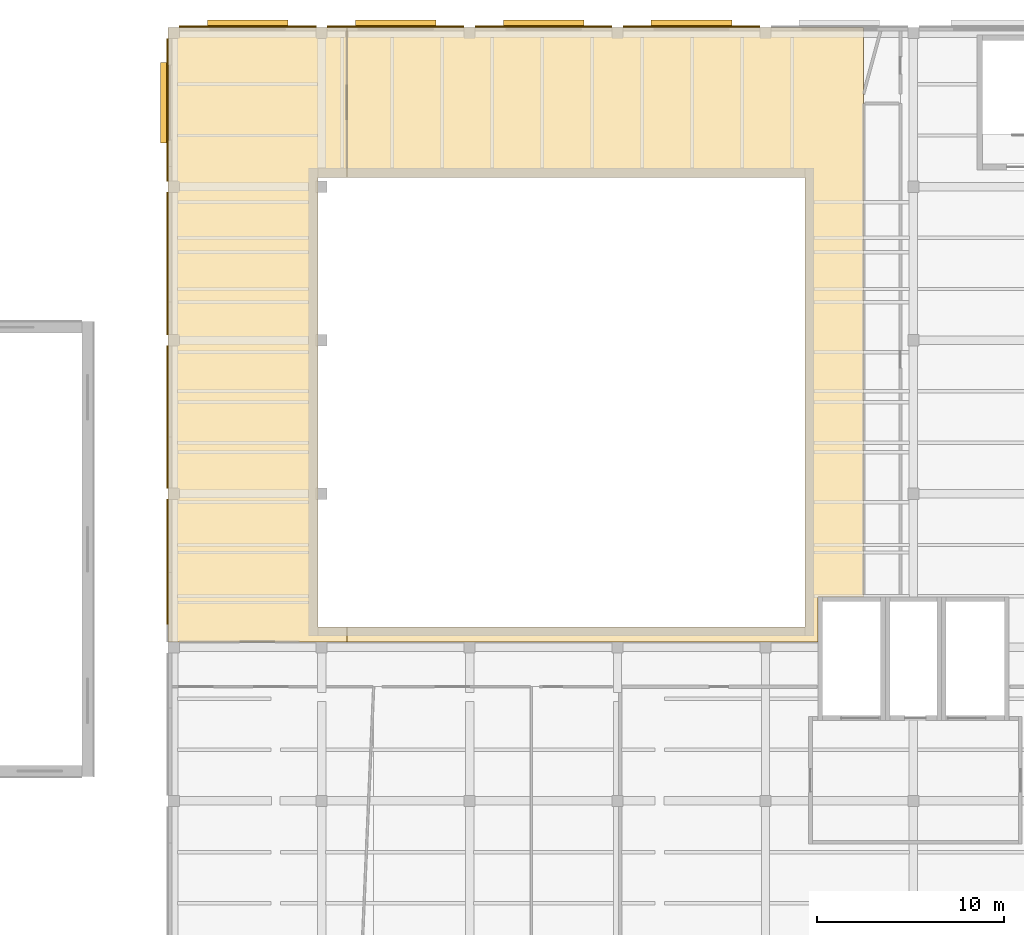
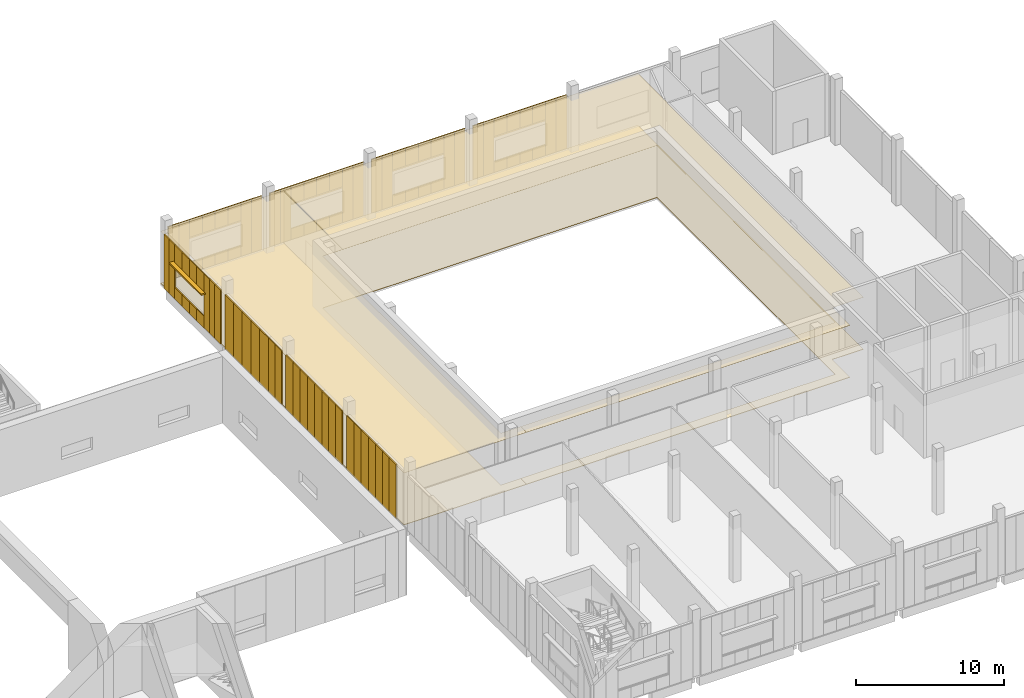
# One storey, part 85 of 87: 87 coverings, 5 shading devices.
"""IFC4 building model written with IfcOpenShell, lengths in metres."""

from ifc_helpers import new_model, si_unit, direction, frame, origin, origin_2d, place, context, subcontext, project, spatial, polyline, rectangle, outline, extrude, material, layer, layer_set, type_object, element, save


model = new_model("IFC4")

# Units and contexts
model_context = context("Model", 3, precision=1e-05, world=origin(), true_north=direction((0.0, 1.0)))
body_context = subcontext(model_context, "Body", "Model", "MODEL_VIEW")
ifc_project = project(units=[si_unit("LENGTHUNIT", "METRE"), si_unit("AREAUNIT", "SQUARE_METRE"), si_unit("VOLUMEUNIT", "CUBIC_METRE"), si_unit("PLANEANGLEUNIT", "RADIAN"), si_unit("MASSUNIT", "GRAM", prefix="KILO")], contexts=[model_context])

# Site, building, storey
site_placement = place(None, origin())
site = spatial("IfcSite", under=ifc_project, at=site_placement, CompositionType="ELEMENT")
building_placement = place(site_placement, origin())
building = spatial("IfcBuilding", under=site, at=building_placement, Name="Lunette Opera House", CompositionType="ELEMENT")
storey_placement = place(building_placement, frame((0.0, 0.0, 11.5)))
storey = spatial("IfcBuildingStorey", under=building, at=storey_placement, Name="L02", CompositionType="ELEMENT", Elevation=11.5)

# Coverings
ifc_material_1 = material(Name="Dark grey aluminium cassette", Category="aluminium")
ifc_layer_1 = layer(ifc_material_1, 0.080078125)
ifc_layer_set_1 = layer_set([ifc_layer_1], Name="Dark grey aluminium cassette")
covering_type_1 = type_object("IfcCoveringType", Name="DARK METAL CASSETTE 80", PredefinedType="CLADDING", material=ifc_layer_set_1)
for number, where, z_axis, x_axis, name in (
    (1, (167.18798828125, 136.0400390625, 0.0), (0.0, 0.0, 1.0), (-1.0, 0.0, 0.0), "Dark Metal Cassette 80 WK L02"),
    (2, (166.362060546875, 136.0400390625, 0.0), (0.0, 0.0, 1.0), (-1.0, 0.0, 0.0), "Dark Metal Cassette 80 WK L02"),
):
    element("IfcCovering", number, at=place(storey_placement, frame(where, z_axis=z_axis, x_axis=x_axis)), inside=storey, type_object=covering_type_1, Name=name, PredefinedType="CLADDING", context=body_context, shape_type="SweptSolid", body=[
        extrude(rectangle(XDim=0.824951171875, YDim=0.080078125, at=origin_2d()), origin(), (0.0, 0.0, 1.0), 4.449951171875),
    ])
covering_1_placement = place(storey_placement, frame((165.449951171875, 136.0400390625, 0.0), z_axis=(0.0, 0.0, 1.0), x_axis=(-1.0, 0.0, 0.0)))
element("IfcCovering", 3, at=covering_1_placement, inside=storey, type_object=covering_type_1, Name="Dark Metal Cassette 80 WK L02", PredefinedType="CLADDING", context=body_context, shape_type="SweptSolid", body=[
    extrude(rectangle(XDim=1.0, YDim=0.080078125, at=origin_2d()), origin(), (0.0, 0.0, 1.0), 0.949951171875),
])
covering_2_placement = place(storey_placement, frame((165.449951171875, 136.0400390625, 3.0), z_axis=(0.0, 0.0, 1.0), x_axis=(-1.0, 0.0, 0.0)))
element("IfcCovering", 4, at=covering_2_placement, inside=storey, type_object=covering_type_1, Name="Dark Metal Cassette 80 WK L02", PredefinedType="CLADDING", context=body_context, shape_type="SweptSolid", body=[
    extrude(rectangle(XDim=1.0, YDim=0.080078125, at=origin_2d()), origin(), (0.0, 0.0, 1.0), 1.449951171875),
])
covering_3_placement = place(storey_placement, frame((164.449951171875, 136.0400390625, 0.0), z_axis=(0.0, 0.0, 1.0), x_axis=(-1.0, 0.0, 0.0)))
element("IfcCovering", 5, at=covering_3_placement, inside=storey, type_object=covering_type_1, Name="Dark Metal Cassette 80 WK L02", PredefinedType="CLADDING", context=body_context, shape_type="SweptSolid", body=[
    extrude(rectangle(XDim=1.0, YDim=0.080078125, at=origin_2d()), origin(), (0.0, 0.0, 1.0), 0.949951171875),
])
covering_4_placement = place(storey_placement, frame((164.449951171875, 136.0400390625, 3.0), z_axis=(0.0, 0.0, 1.0), x_axis=(-1.0, 0.0, 0.0)))
element("IfcCovering", 6, at=covering_4_placement, inside=storey, type_object=covering_type_1, Name="Dark Metal Cassette 80 WK L02", PredefinedType="CLADDING", context=body_context, shape_type="SweptSolid", body=[
    extrude(rectangle(XDim=1.0, YDim=0.080078125, at=origin_2d()), origin(), (0.0, 0.0, 1.0), 1.449951171875),
])
covering_5_placement = place(storey_placement, frame((163.449951171875, 136.0400390625, 0.0), z_axis=(0.0, 0.0, 1.0), x_axis=(-1.0, 0.0, 0.0)))
element("IfcCovering", 7, at=covering_5_placement, inside=storey, type_object=covering_type_1, Name="Dark Metal Cassette 80 WK L02", PredefinedType="CLADDING", context=body_context, shape_type="SweptSolid", body=[
    extrude(rectangle(XDim=1.0, YDim=0.080078125, at=origin_2d()), origin(), (0.0, 0.0, 1.0), 0.949951171875),
])
covering_6_placement = place(storey_placement, frame((163.449951171875, 136.0400390625, 3.0), z_axis=(0.0, 0.0, 1.0), x_axis=(-1.0, 0.0, 0.0)))
element("IfcCovering", 8, at=covering_6_placement, inside=storey, type_object=covering_type_1, Name="Dark Metal Cassette 80 WK L02", PredefinedType="CLADDING", context=body_context, shape_type="SweptSolid", body=[
    extrude(rectangle(XDim=1.0, YDim=0.080078125, at=origin_2d()), origin(), (0.0, 0.0, 1.0), 1.449951171875),
])
covering_7_placement = place(storey_placement, frame((162.449951171875, 136.0400390625, 0.0), z_axis=(0.0, 0.0, 1.0), x_axis=(-1.0, 0.0, 0.0)))
element("IfcCovering", 9, at=covering_7_placement, inside=storey, type_object=covering_type_1, Name="Dark Metal Cassette 80 WK L02", PredefinedType="CLADDING", context=body_context, shape_type="SweptSolid", body=[
    extrude(rectangle(XDim=1.0, YDim=0.080078125, at=origin_2d()), origin(), (0.0, 0.0, 1.0), 0.949951171875),
])
covering_8_placement = place(storey_placement, frame((162.449951171875, 136.0400390625, 3.0), z_axis=(0.0, 0.0, 1.0), x_axis=(-1.0, 0.0, 0.0)))
element("IfcCovering", 10, at=covering_8_placement, inside=storey, type_object=covering_type_1, Name="Dark Metal Cassette 80 WK L02", PredefinedType="CLADDING", context=body_context, shape_type="SweptSolid", body=[
    extrude(rectangle(XDim=1.0, YDim=0.080078125, at=origin_2d()), origin(), (0.0, 0.0, 1.0), 1.449951171875),
])
for number, where, z_axis, x_axis, name in (
    (11, (161.537109375, 136.0400390625, 0.0), (0.0, 0.0, 1.0), (-1.0, 0.0, 0.0), "Dark Metal Cassette 80 WK L02"),
    (12, (160.712890625, 136.0400390625, 0.0), (0.0, 0.0, 1.0), (-1.0, 0.0, 0.0), "Dark Metal Cassette 80 WK L02"),
    (13, (159.287109375, 136.0400390625, 0.0), (0.0, 0.0, 1.0), (-1.0, 0.0, 0.0), "Dark Metal Cassette 80 WK L02"),
    (14, (158.4619140625, 136.0400390625, 0.0), (0.0, 0.0, 1.0), (-1.0, 0.0, 0.0), "Dark Metal Cassette 80 WK L02"),
):
    element("IfcCovering", number, at=place(storey_placement, frame(where, z_axis=z_axis, x_axis=x_axis)), inside=storey, type_object=covering_type_1, Name=name, PredefinedType="CLADDING", context=body_context, shape_type="SweptSolid", body=[
        extrude(rectangle(XDim=0.824951171875, YDim=0.080078125, at=origin_2d()), origin(), (0.0, 0.0, 1.0), 4.449951171875),
    ])
covering_9_placement = place(storey_placement, frame((157.550048828125, 136.0400390625, 0.0), z_axis=(0.0, 0.0, 1.0), x_axis=(-1.0, 0.0, 0.0)))
element("IfcCovering", 15, at=covering_9_placement, inside=storey, type_object=covering_type_1, Name="Dark Metal Cassette 80 WK L02", PredefinedType="CLADDING", context=body_context, shape_type="SweptSolid", body=[
    extrude(rectangle(XDim=1.0, YDim=0.080078125, at=origin_2d()), origin(), (0.0, 0.0, 1.0), 0.949951171875),
])
covering_10_placement = place(storey_placement, frame((157.550048828125, 136.0400390625, 3.0), z_axis=(0.0, 0.0, 1.0), x_axis=(-1.0, 0.0, 0.0)))
element("IfcCovering", 16, at=covering_10_placement, inside=storey, type_object=covering_type_1, Name="Dark Metal Cassette 80 WK L02", PredefinedType="CLADDING", context=body_context, shape_type="SweptSolid", body=[
    extrude(rectangle(XDim=1.0, YDim=0.080078125, at=origin_2d()), origin(), (0.0, 0.0, 1.0), 1.449951171875),
])
covering_11_placement = place(storey_placement, frame((156.550048828125, 136.0400390625, 0.0), z_axis=(0.0, 0.0, 1.0), x_axis=(-1.0, 0.0, 0.0)))
element("IfcCovering", 17, at=covering_11_placement, inside=storey, type_object=covering_type_1, Name="Dark Metal Cassette 80 WK L02", PredefinedType="CLADDING", context=body_context, shape_type="SweptSolid", body=[
    extrude(rectangle(XDim=1.0, YDim=0.080078125, at=origin_2d()), origin(), (0.0, 0.0, 1.0), 0.949951171875),
])
covering_12_placement = place(storey_placement, frame((156.550048828125, 136.0400390625, 3.0), z_axis=(0.0, 0.0, 1.0), x_axis=(-1.0, 0.0, 0.0)))
element("IfcCovering", 18, at=covering_12_placement, inside=storey, type_object=covering_type_1, Name="Dark Metal Cassette 80 WK L02", PredefinedType="CLADDING", context=body_context, shape_type="SweptSolid", body=[
    extrude(rectangle(XDim=1.0, YDim=0.080078125, at=origin_2d()), origin(), (0.0, 0.0, 1.0), 1.449951171875),
])
covering_13_placement = place(storey_placement, frame((155.550048828125, 136.0400390625, 0.0), z_axis=(0.0, 0.0, 1.0), x_axis=(-1.0, 0.0, 0.0)))
element("IfcCovering", 19, at=covering_13_placement, inside=storey, type_object=covering_type_1, Name="Dark Metal Cassette 80 WK L02", PredefinedType="CLADDING", context=body_context, shape_type="SweptSolid", body=[
    extrude(rectangle(XDim=1.0, YDim=0.080078125, at=origin_2d()), origin(), (0.0, 0.0, 1.0), 0.949951171875),
])
covering_14_placement = place(storey_placement, frame((155.550048828125, 136.0400390625, 3.0), z_axis=(0.0, 0.0, 1.0), x_axis=(-1.0, 0.0, 0.0)))
element("IfcCovering", 20, at=covering_14_placement, inside=storey, type_object=covering_type_1, Name="Dark Metal Cassette 80 WK L02", PredefinedType="CLADDING", context=body_context, shape_type="SweptSolid", body=[
    extrude(rectangle(XDim=1.0, YDim=0.080078125, at=origin_2d()), origin(), (0.0, 0.0, 1.0), 1.449951171875),
])
covering_15_placement = place(storey_placement, frame((154.550048828125, 136.0400390625, 0.0), z_axis=(0.0, 0.0, 1.0), x_axis=(-1.0, 0.0, 0.0)))
element("IfcCovering", 21, at=covering_15_placement, inside=storey, type_object=covering_type_1, Name="Dark Metal Cassette 80 WK L02", PredefinedType="CLADDING", context=body_context, shape_type="SweptSolid", body=[
    extrude(rectangle(XDim=1.0, YDim=0.080078125, at=origin_2d()), origin(), (0.0, 0.0, 1.0), 0.949951171875),
])
covering_16_placement = place(storey_placement, frame((154.550048828125, 136.0400390625, 3.0), z_axis=(0.0, 0.0, 1.0), x_axis=(-1.0, 0.0, 0.0)))
element("IfcCovering", 22, at=covering_16_placement, inside=storey, type_object=covering_type_1, Name="Dark Metal Cassette 80 WK L02", PredefinedType="CLADDING", context=body_context, shape_type="SweptSolid", body=[
    extrude(rectangle(XDim=1.0, YDim=0.080078125, at=origin_2d()), origin(), (0.0, 0.0, 1.0), 1.449951171875),
])
for number, where, z_axis, x_axis, name in (
    (23, (153.636962890625, 136.0400390625, 0.0), (0.0, 0.0, 1.0), (-1.0, 0.0, 0.0), "Dark Metal Cassette 80 WK L02"),
    (24, (152.81201171875, 136.0400390625, 0.0), (0.0, 0.0, 1.0), (-1.0, 0.0, 0.0), "Dark Metal Cassette 80 WK L02"),
    (25, (151.387939453125, 136.0400390625, 0.0), (0.0, 0.0, 1.0), (-1.0, 0.0, 0.0), "Dark Metal Cassette 80 WK L02"),
    (26, (150.56201171875, 136.0400390625, 0.0), (0.0, 0.0, 1.0), (-1.0, 0.0, 0.0), "Dark Metal Cassette 80 WK L02"),
):
    element("IfcCovering", number, at=place(storey_placement, frame(where, z_axis=z_axis, x_axis=x_axis)), inside=storey, type_object=covering_type_1, Name=name, PredefinedType="CLADDING", context=body_context, shape_type="SweptSolid", body=[
        extrude(rectangle(XDim=0.824951171875, YDim=0.080078125, at=origin_2d()), origin(), (0.0, 0.0, 1.0), 4.449951171875),
    ])
covering_17_placement = place(storey_placement, frame((149.64990234375, 136.0400390625, 0.0), z_axis=(0.0, 0.0, 1.0), x_axis=(-1.0, 0.0, 0.0)))
element("IfcCovering", 27, at=covering_17_placement, inside=storey, type_object=covering_type_1, Name="Dark Metal Cassette 80 WK L02", PredefinedType="CLADDING", context=body_context, shape_type="SweptSolid", body=[
    extrude(rectangle(XDim=1.0, YDim=0.080078125, at=origin_2d()), origin(), (0.0, 0.0, 1.0), 0.949951171875),
])
covering_18_placement = place(storey_placement, frame((149.64990234375, 136.0400390625, 3.0), z_axis=(0.0, 0.0, 1.0), x_axis=(-1.0, 0.0, 0.0)))
element("IfcCovering", 28, at=covering_18_placement, inside=storey, type_object=covering_type_1, Name="Dark Metal Cassette 80 WK L02", PredefinedType="CLADDING", context=body_context, shape_type="SweptSolid", body=[
    extrude(rectangle(XDim=1.0, YDim=0.080078125, at=origin_2d()), origin(), (0.0, 0.0, 1.0), 1.449951171875),
])
covering_19_placement = place(storey_placement, frame((148.64990234375, 136.0400390625, 0.0), z_axis=(0.0, 0.0, 1.0), x_axis=(-1.0, 0.0, 0.0)))
element("IfcCovering", 29, at=covering_19_placement, inside=storey, type_object=covering_type_1, Name="Dark Metal Cassette 80 WK L02", PredefinedType="CLADDING", context=body_context, shape_type="SweptSolid", body=[
    extrude(rectangle(XDim=1.0, YDim=0.080078125, at=origin_2d()), origin(), (0.0, 0.0, 1.0), 0.949951171875),
])
covering_20_placement = place(storey_placement, frame((148.64990234375, 136.0400390625, 3.0), z_axis=(0.0, 0.0, 1.0), x_axis=(-1.0, 0.0, 0.0)))
element("IfcCovering", 30, at=covering_20_placement, inside=storey, type_object=covering_type_1, Name="Dark Metal Cassette 80 WK L02", PredefinedType="CLADDING", context=body_context, shape_type="SweptSolid", body=[
    extrude(rectangle(XDim=1.0, YDim=0.080078125, at=origin_2d()), origin(), (0.0, 0.0, 1.0), 1.449951171875),
])
covering_21_placement = place(storey_placement, frame((147.64990234375, 136.0400390625, 0.0), z_axis=(0.0, 0.0, 1.0), x_axis=(-1.0, 0.0, 0.0)))
element("IfcCovering", 31, at=covering_21_placement, inside=storey, type_object=covering_type_1, Name="Dark Metal Cassette 80 WK L02", PredefinedType="CLADDING", context=body_context, shape_type="SweptSolid", body=[
    extrude(rectangle(XDim=1.0, YDim=0.080078125, at=origin_2d()), origin(), (0.0, 0.0, 1.0), 0.949951171875),
])
covering_22_placement = place(storey_placement, frame((147.64990234375, 136.0400390625, 3.0), z_axis=(0.0, 0.0, 1.0), x_axis=(-1.0, 0.0, 0.0)))
element("IfcCovering", 32, at=covering_22_placement, inside=storey, type_object=covering_type_1, Name="Dark Metal Cassette 80 WK L02", PredefinedType="CLADDING", context=body_context, shape_type="SweptSolid", body=[
    extrude(rectangle(XDim=1.0, YDim=0.080078125, at=origin_2d()), origin(), (0.0, 0.0, 1.0), 1.449951171875),
])
covering_23_placement = place(storey_placement, frame((146.64990234375, 136.0400390625, 0.0), z_axis=(0.0, 0.0, 1.0), x_axis=(-1.0, 0.0, 0.0)))
element("IfcCovering", 33, at=covering_23_placement, inside=storey, type_object=covering_type_1, Name="Dark Metal Cassette 80 WK L02", PredefinedType="CLADDING", context=body_context, shape_type="SweptSolid", body=[
    extrude(rectangle(XDim=1.0, YDim=0.080078125, at=origin_2d()), origin(), (0.0, 0.0, 1.0), 0.949951171875),
])
covering_24_placement = place(storey_placement, frame((146.64990234375, 136.0400390625, 3.0), z_axis=(0.0, 0.0, 1.0), x_axis=(-1.0, 0.0, 0.0)))
element("IfcCovering", 34, at=covering_24_placement, inside=storey, type_object=covering_type_1, Name="Dark Metal Cassette 80 WK L02", PredefinedType="CLADDING", context=body_context, shape_type="SweptSolid", body=[
    extrude(rectangle(XDim=1.0, YDim=0.080078125, at=origin_2d()), origin(), (0.0, 0.0, 1.0), 1.449951171875),
])
for number, where, z_axis, x_axis, name in (
    (35, (145.738037109375, 136.0400390625, 0.0), (0.0, 0.0, 1.0), (-1.0, 0.0, 0.0), "Dark Metal Cassette 80 WK L02"),
    (36, (144.912109375, 136.0400390625, 0.0), (0.0, 0.0, 1.0), (-1.0, 0.0, 0.0), "Dark Metal Cassette 80 WK L02"),
    (37, (143.488037109375, 136.0400390625, 0.0), (0.0, 0.0, 1.0), (-1.0, 0.0, 0.0), "Dark Metal Cassette 80 WK L02"),
    (38, (142.662109375, 136.0400390625, 0.0), (0.0, 0.0, 1.0), (-1.0, 0.0, 0.0), "Dark Metal Cassette 80 WK L02"),
):
    element("IfcCovering", number, at=place(storey_placement, frame(where, z_axis=z_axis, x_axis=x_axis)), inside=storey, type_object=covering_type_1, Name=name, PredefinedType="CLADDING", context=body_context, shape_type="SweptSolid", body=[
        extrude(rectangle(XDim=0.824951171875, YDim=0.080078125, at=origin_2d()), origin(), (0.0, 0.0, 1.0), 4.449951171875),
    ])
covering_25_placement = place(storey_placement, frame((141.75, 136.0400390625, 0.0), z_axis=(0.0, 0.0, 1.0), x_axis=(-1.0, 0.0, 0.0)))
element("IfcCovering", 39, at=covering_25_placement, inside=storey, type_object=covering_type_1, Name="Dark Metal Cassette 80 WK L02", PredefinedType="CLADDING", context=body_context, shape_type="SweptSolid", body=[
    extrude(rectangle(XDim=1.0, YDim=0.080078125, at=origin_2d()), origin(), (0.0, 0.0, 1.0), 0.949951171875),
])
covering_26_placement = place(storey_placement, frame((141.75, 136.0400390625, 3.0), z_axis=(0.0, 0.0, 1.0), x_axis=(-1.0, 0.0, 0.0)))
element("IfcCovering", 40, at=covering_26_placement, inside=storey, type_object=covering_type_1, Name="Dark Metal Cassette 80 WK L02", PredefinedType="CLADDING", context=body_context, shape_type="SweptSolid", body=[
    extrude(rectangle(XDim=1.0, YDim=0.080078125, at=origin_2d()), origin(), (0.0, 0.0, 1.0), 1.449951171875),
])
covering_27_placement = place(storey_placement, frame((140.75, 136.0400390625, 0.0), z_axis=(0.0, 0.0, 1.0), x_axis=(-1.0, 0.0, 0.0)))
element("IfcCovering", 41, at=covering_27_placement, inside=storey, type_object=covering_type_1, Name="Dark Metal Cassette 80 WK L02", PredefinedType="CLADDING", context=body_context, shape_type="SweptSolid", body=[
    extrude(rectangle(XDim=1.0, YDim=0.080078125, at=origin_2d()), origin(), (0.0, 0.0, 1.0), 0.949951171875),
])
covering_28_placement = place(storey_placement, frame((140.75, 136.0400390625, 3.0), z_axis=(0.0, 0.0, 1.0), x_axis=(-1.0, 0.0, 0.0)))
element("IfcCovering", 42, at=covering_28_placement, inside=storey, type_object=covering_type_1, Name="Dark Metal Cassette 80 WK L02", PredefinedType="CLADDING", context=body_context, shape_type="SweptSolid", body=[
    extrude(rectangle(XDim=1.0, YDim=0.080078125, at=origin_2d()), origin(), (0.0, 0.0, 1.0), 1.449951171875),
])
covering_29_placement = place(storey_placement, frame((139.75, 136.0400390625, 0.0), z_axis=(0.0, 0.0, 1.0), x_axis=(-1.0, 0.0, 0.0)))
element("IfcCovering", 43, at=covering_29_placement, inside=storey, type_object=covering_type_1, Name="Dark Metal Cassette 80 WK L02", PredefinedType="CLADDING", context=body_context, shape_type="SweptSolid", body=[
    extrude(rectangle(XDim=1.0, YDim=0.080078125, at=origin_2d()), origin(), (0.0, 0.0, 1.0), 0.949951171875),
])
covering_30_placement = place(storey_placement, frame((139.75, 136.0400390625, 3.0), z_axis=(0.0, 0.0, 1.0), x_axis=(-1.0, 0.0, 0.0)))
element("IfcCovering", 44, at=covering_30_placement, inside=storey, type_object=covering_type_1, Name="Dark Metal Cassette 80 WK L02", PredefinedType="CLADDING", context=body_context, shape_type="SweptSolid", body=[
    extrude(rectangle(XDim=1.0, YDim=0.080078125, at=origin_2d()), origin(), (0.0, 0.0, 1.0), 1.449951171875),
])
covering_31_placement = place(storey_placement, frame((138.75, 136.0400390625, 0.0), z_axis=(0.0, 0.0, 1.0), x_axis=(-1.0, 0.0, 0.0)))
element("IfcCovering", 45, at=covering_31_placement, inside=storey, type_object=covering_type_1, Name="Dark Metal Cassette 80 WK L02", PredefinedType="CLADDING", context=body_context, shape_type="SweptSolid", body=[
    extrude(rectangle(XDim=1.0, YDim=0.080078125, at=origin_2d()), origin(), (0.0, 0.0, 1.0), 0.949951171875),
])
covering_32_placement = place(storey_placement, frame((138.75, 136.0400390625, 3.0), z_axis=(0.0, 0.0, 1.0), x_axis=(-1.0, 0.0, 0.0)))
element("IfcCovering", 46, at=covering_32_placement, inside=storey, type_object=covering_type_1, Name="Dark Metal Cassette 80 WK L02", PredefinedType="CLADDING", context=body_context, shape_type="SweptSolid", body=[
    extrude(rectangle(XDim=1.0, YDim=0.080078125, at=origin_2d()), origin(), (0.0, 0.0, 1.0), 1.449951171875),
])
for number, where, z_axis, x_axis, name in (
    (47, (137.837890625, 136.0400390625, 0.0), (0.0, 0.0, 1.0), (-1.0, 0.0, 0.0), "Dark Metal Cassette 80 WK L02"),
    (48, (137.011962890625, 136.0400390625, 0.0), (0.0, 0.0, 1.0), (-1.0, 0.0, 0.0), "Dark Metal Cassette 80 WK L02"),
):
    element("IfcCovering", number, at=place(storey_placement, frame(where, z_axis=z_axis, x_axis=x_axis)), inside=storey, type_object=covering_type_1, Name=name, PredefinedType="CLADDING", context=body_context, shape_type="SweptSolid", body=[
        extrude(rectangle(XDim=0.824951171875, YDim=0.080078125, at=origin_2d()), origin(), (0.0, 0.0, 1.0), 4.449951171875),
    ])
for number, where, z_axis, x_axis, name in (
    (49, (135.9599609375, 135.047119140625, 0.0), (0.0, 0.0, 1.0), (0.0, -1.0, 0.0), "Dark Metal Cassette 80 WK L02"),
    (50, (135.9599609375, 134.341064453125, 0.0), (0.0, 0.0, 1.0), (0.0, -1.0, 0.0), "Dark Metal Cassette 80 WK L02"),
):
    element("IfcCovering", number, at=place(storey_placement, frame(where, z_axis=z_axis, x_axis=x_axis)), inside=storey, type_object=covering_type_1, Name=name, PredefinedType="CLADDING", context=body_context, shape_type="SweptSolid", body=[
        extrude(rectangle(XDim=0.7060546875, YDim=0.080078125, at=origin_2d()), origin(), (0.0, 0.0, 1.0), 4.449951171875),
    ])
covering_33_placement = place(storey_placement, frame((135.9599609375, 133.488037109375, 0.0), z_axis=(0.0, 0.0, 1.0), x_axis=(0.0, -1.0, 0.0)))
element("IfcCovering", 51, at=covering_33_placement, inside=storey, type_object=covering_type_1, Name="Dark Metal Cassette 80 WK L02", PredefinedType="CLADDING", context=body_context, shape_type="SweptSolid", body=[
    extrude(rectangle(XDim=1.0, YDim=0.080078125, at=origin_2d()), origin(), (0.0, 0.0, 1.0), 0.949951171875),
])
covering_34_placement = place(storey_placement, frame((135.9599609375, 133.488037109375, 3.0), z_axis=(0.0, 0.0, 1.0), x_axis=(0.0, -1.0, 0.0)))
element("IfcCovering", 52, at=covering_34_placement, inside=storey, type_object=covering_type_1, Name="Dark Metal Cassette 80 WK L02", PredefinedType="CLADDING", context=body_context, shape_type="SweptSolid", body=[
    extrude(rectangle(XDim=1.0, YDim=0.080078125, at=origin_2d()), origin(), (0.0, 0.0, 1.0), 1.449951171875),
])
covering_35_placement = place(storey_placement, frame((135.9599609375, 132.488037109375, 0.0), z_axis=(0.0, 0.0, 1.0), x_axis=(0.0, -1.0, 0.0)))
element("IfcCovering", 53, at=covering_35_placement, inside=storey, type_object=covering_type_1, Name="Dark Metal Cassette 80 WK L02", PredefinedType="CLADDING", context=body_context, shape_type="SweptSolid", body=[
    extrude(rectangle(XDim=1.0, YDim=0.080078125, at=origin_2d()), origin(), (0.0, 0.0, 1.0), 0.949951171875),
])
covering_36_placement = place(storey_placement, frame((135.9599609375, 132.488037109375, 3.0), z_axis=(0.0, 0.0, 1.0), x_axis=(0.0, -1.0, 0.0)))
element("IfcCovering", 54, at=covering_36_placement, inside=storey, type_object=covering_type_1, Name="Dark Metal Cassette 80 WK L02", PredefinedType="CLADDING", context=body_context, shape_type="SweptSolid", body=[
    extrude(rectangle(XDim=1.0, YDim=0.080078125, at=origin_2d()), origin(), (0.0, 0.0, 1.0), 1.449951171875),
])
covering_37_placement = place(storey_placement, frame((135.9599609375, 131.488037109375, 0.0), z_axis=(0.0, 0.0, 1.0), x_axis=(0.0, -1.0, 0.0)))
element("IfcCovering", 55, at=covering_37_placement, inside=storey, type_object=covering_type_1, Name="Dark Metal Cassette 80 WK L02", PredefinedType="CLADDING", context=body_context, shape_type="SweptSolid", body=[
    extrude(rectangle(XDim=1.0, YDim=0.080078125, at=origin_2d()), origin(), (0.0, 0.0, 1.0), 0.949951171875),
])
covering_38_placement = place(storey_placement, frame((135.9599609375, 131.488037109375, 3.0), z_axis=(0.0, 0.0, 1.0), x_axis=(0.0, -1.0, 0.0)))
element("IfcCovering", 56, at=covering_38_placement, inside=storey, type_object=covering_type_1, Name="Dark Metal Cassette 80 WK L02", PredefinedType="CLADDING", context=body_context, shape_type="SweptSolid", body=[
    extrude(rectangle(XDim=1.0, YDim=0.080078125, at=origin_2d()), origin(), (0.0, 0.0, 1.0), 1.449951171875),
])
covering_39_placement = place(storey_placement, frame((135.9599609375, 130.488037109375, 0.0), z_axis=(0.0, 0.0, 1.0), x_axis=(0.0, -1.0, 0.0)))
element("IfcCovering", 57, at=covering_39_placement, inside=storey, type_object=covering_type_1, Name="Dark Metal Cassette 80 WK L02", PredefinedType="CLADDING", context=body_context, shape_type="SweptSolid", body=[
    extrude(rectangle(XDim=1.0, YDim=0.080078125, at=origin_2d()), origin(), (0.0, 0.0, 1.0), 0.949951171875),
])
covering_40_placement = place(storey_placement, frame((135.9599609375, 130.488037109375, 3.0), z_axis=(0.0, 0.0, 1.0), x_axis=(0.0, -1.0, 0.0)))
element("IfcCovering", 58, at=covering_40_placement, inside=storey, type_object=covering_type_1, Name="Dark Metal Cassette 80 WK L02", PredefinedType="CLADDING", context=body_context, shape_type="SweptSolid", body=[
    extrude(rectangle(XDim=1.0, YDim=0.080078125, at=origin_2d()), origin(), (0.0, 0.0, 1.0), 1.449951171875),
])
for number, where, z_axis, x_axis, name in (
    (59, (135.9599609375, 129.635009765625, 0.0), (0.0, 0.0, 1.0), (0.0, -1.0, 0.0), "Dark Metal Cassette 80 WK L02"),
    (60, (135.9599609375, 128.927978515625, 0.0), (0.0, 0.0, 1.0), (0.0, -1.0, 0.0), "Dark Metal Cassette 80 WK L02"),
):
    element("IfcCovering", number, at=place(storey_placement, frame(where, z_axis=z_axis, x_axis=x_axis)), inside=storey, type_object=covering_type_1, Name=name, PredefinedType="CLADDING", context=body_context, shape_type="SweptSolid", body=[
        extrude(rectangle(XDim=0.70703125, YDim=0.080078125, at=origin_2d()), origin(), (0.0, 0.0, 1.0), 4.449951171875),
    ])
covering_41_placement = place(storey_placement, frame((135.9599609375, 128.18798828125, 0.0), z_axis=(0.0, 0.0, 1.0), x_axis=(0.0, -1.0, 0.0)))
element("IfcCovering", 61, at=covering_41_placement, inside=storey, type_object=covering_type_1, Name="Dark Metal Cassette 80 WK L02", PredefinedType="CLADDING", context=body_context, shape_type="SweptSolid", body=[
    extrude(rectangle(XDim=0.77490234375, YDim=0.080078125, at=origin_2d()), origin(), (0.0, 0.0, 1.0), 4.449951171875),
])
for number, where, z_axis, x_axis, name in (
    (62, (135.9599609375, 126.614990234375, 0.0), (0.0, 0.0, 1.0), (0.0, -1.0, 0.0), "Dark Metal Cassette 80 WK L02"),
    (63, (135.9599609375, 125.445068359375, 0.0), (0.0, 0.0, 1.0), (0.0, -1.0, 0.0), "Dark Metal Cassette 80 WK L02"),
    (64, (135.9599609375, 124.27490234375, 0.0), (0.0, 0.0, 1.0), (0.0, -1.0, 0.0), "Dark Metal Cassette 80 WK L02"),
    (65, (135.9599609375, 123.10498046875, 0.0), (0.0, 0.0, 1.0), (0.0, -1.0, 0.0), "Dark Metal Cassette 80 WK L02"),
    (66, (135.9599609375, 121.93505859375, 0.0), (0.0, 0.0, 1.0), (0.0, -1.0, 0.0), "Dark Metal Cassette 80 WK L02"),
):
    element("IfcCovering", number, at=place(storey_placement, frame(where, z_axis=z_axis, x_axis=x_axis)), inside=storey, type_object=covering_type_1, Name=name, PredefinedType="CLADDING", context=body_context, shape_type="SweptSolid", body=[
        extrude(rectangle(XDim=1.169921875, YDim=0.080078125, at=origin_2d()), origin(), (0.0, 0.0, 1.0), 4.449951171875),
    ])
for number, where, z_axis, x_axis, name in (
    (67, (135.9599609375, 120.912109375, 0.0), (0.0, 0.0, 1.0), (0.0, -1.0, 0.0), "Dark Metal Cassette 80 WK L02"),
    (68, (135.9599609375, 120.037109375, 0.0), (0.0, 0.0, 1.0), (0.0, -1.0, 0.0), "Dark Metal Cassette 80 WK L02"),
):
    element("IfcCovering", number, at=place(storey_placement, frame(where, z_axis=z_axis, x_axis=x_axis)), inside=storey, type_object=covering_type_1, Name=name, PredefinedType="CLADDING", context=body_context, shape_type="SweptSolid", body=[
        extrude(rectangle(XDim=0.875, YDim=0.080078125, at=origin_2d()), origin(), (0.0, 0.0, 1.0), 4.449951171875),
    ])
for number, where, z_axis, x_axis, name in (
    (69, (135.9599609375, 118.512939453125, 0.0), (0.0, 0.0, 1.0), (0.0, -1.0, 0.0), "Dark Metal Cassette 80 WK L02"),
    (70, (135.9599609375, 117.537109375, 0.0), (0.0, 0.0, 1.0), (0.0, -1.0, 0.0), "Dark Metal Cassette 80 WK L02"),
    (71, (135.9599609375, 116.56201171875, 0.0), (0.0, 0.0, 1.0), (0.0, -1.0, 0.0), "Dark Metal Cassette 80 WK L02"),
    (72, (135.9599609375, 115.587890625, 0.0), (0.0, 0.0, 1.0), (0.0, -1.0, 0.0), "Dark Metal Cassette 80 WK L02"),
    (73, (135.9599609375, 114.612060546875, 0.0), (0.0, 0.0, 1.0), (0.0, -1.0, 0.0), "Dark Metal Cassette 80 WK L02"),
):
    element("IfcCovering", number, at=place(storey_placement, frame(where, z_axis=z_axis, x_axis=x_axis)), inside=storey, type_object=covering_type_1, Name=name, PredefinedType="CLADDING", context=body_context, shape_type="SweptSolid", body=[
        extrude(rectangle(XDim=0.97509765625, YDim=0.080078125, at=origin_2d()), origin(), (0.0, 0.0, 1.0), 4.449951171875),
    ])
for number, where, z_axis, x_axis, name in (
    (74, (135.9599609375, 113.6708984375, 0.0), (0.0, 0.0, 1.0), (0.0, -1.0, 0.0), "Dark Metal Cassette 80 WK L02"),
    (75, (135.9599609375, 112.762939453125, 0.0), (0.0, 0.0, 1.0), (0.0, -1.0, 0.0), "Dark Metal Cassette 80 WK L02"),
    (76, (135.9599609375, 111.85400390625, 0.0), (0.0, 0.0, 1.0), (0.0, -1.0, 0.0), "Dark Metal Cassette 80 WK L02"),
):
    element("IfcCovering", number, at=place(storey_placement, frame(where, z_axis=z_axis, x_axis=x_axis)), inside=storey, type_object=covering_type_1, Name=name, PredefinedType="CLADDING", context=body_context, shape_type="SweptSolid", body=[
        extrude(rectangle(XDim=0.907958984375, YDim=0.080078125, at=origin_2d()), origin(), (0.0, 0.0, 1.0), 4.449951171875),
    ])
for number, where, z_axis, x_axis, name in (
    (77, (135.9599609375, 110.31201171875, 0.0), (0.0, 0.0, 1.0), (0.0, -1.0, 0.0), "Dark Metal Cassette 80 WK L02"),
    (78, (135.9599609375, 109.337890625, 0.0), (0.0, 0.0, 1.0), (0.0, -1.0, 0.0), "Dark Metal Cassette 80 WK L02"),
    (79, (135.9599609375, 108.362060546875, 0.0), (0.0, 0.0, 1.0), (0.0, -1.0, 0.0), "Dark Metal Cassette 80 WK L02"),
    (80, (135.9599609375, 107.387939453125, 0.0), (0.0, 0.0, 1.0), (0.0, -1.0, 0.0), "Dark Metal Cassette 80 WK L02"),
):
    element("IfcCovering", number, at=place(storey_placement, frame(where, z_axis=z_axis, x_axis=x_axis)), inside=storey, type_object=covering_type_1, Name=name, PredefinedType="CLADDING", context=body_context, shape_type="SweptSolid", body=[
        extrude(rectangle(XDim=0.97509765625, YDim=0.080078125, at=origin_2d()), origin(), (0.0, 0.0, 1.0), 4.449951171875),
    ])
for number, where, z_axis, x_axis, name in (
    (81, (135.9599609375, 106.43798828125, 0.0), (0.0, 0.0, 1.0), (0.0, -1.0, 0.0), "Dark Metal Cassette 80 WK L02"),
    (82, (135.9599609375, 105.512939453125, 0.0), (0.0, 0.0, 1.0), (0.0, -1.0, 0.0), "Dark Metal Cassette 80 WK L02"),
    (83, (135.9599609375, 104.587890625, 0.0), (0.0, 0.0, 1.0), (0.0, -1.0, 0.0), "Dark Metal Cassette 80 WK L02"),
):
    element("IfcCovering", number, at=place(storey_placement, frame(where, z_axis=z_axis, x_axis=x_axis)), inside=storey, type_object=covering_type_1, Name=name, PredefinedType="CLADDING", context=body_context, shape_type="SweptSolid", body=[
        extrude(rectangle(XDim=0.925048828125, YDim=0.080078125, at=origin_2d()), origin(), (0.0, 0.0, 1.0), 4.449951171875),
    ])
ifc_material_2 = material(Name="Mineral fibre board")
ifc_layer_2 = layer(ifc_material_2, 0.014892578125)
ifc_layer_set_2 = layer_set([ifc_layer_2], Name="Mineral fibre board")
covering_type_2 = type_object("IfcCoveringType", Name="SUSPENDED ACOUSTIC CEILING 15", PredefinedType="CEILING", material=ifc_layer_set_2)
covering_42_placement = place(storey_placement, frame((0.0, 0.0, 4.284912109375)))
element("IfcCovering", 84, at=covering_42_placement, inside=storey, type_object=covering_type_2, Name="Ceiling Armoury and Props Workshop", PredefinedType="CEILING", context=body_context, shape_type="SweptSolid", body=[
    extrude(outline(polyline([(136.0, 103.199951171875), (136.0, 136.0), (145.5458984375, 136.0), (145.5458984375, 128.0), (144.0, 128.0), (144.0, 104.0), (145.5458984375, 104.0), (145.5458984375, 103.199951171875), (136.0, 103.199951171875)])), origin(), (0.0, 0.0, 1.0), 0.01513671875),
])
covering_43_placement = place(storey_placement, frame((0.0, 0.0, 4.284912109375)))
element("IfcCovering", 85, at=covering_43_placement, inside=storey, type_object=covering_type_2, Name="Ceiling Paint Frame Gallery", PredefinedType="CEILING", context=body_context, shape_type="SweptSolid", body=[
    extrude(outline(polyline([(170.699951171875, 105.60009765625), (170.699951171875, 103.199951171875), (145.5458984375, 103.199951171875), (145.5458984375, 104.0), (170.0, 104.0), (170.0, 128.0), (145.5458984375, 128.0), (145.5458984375, 136.0), (173.1298828125, 136.0), (173.1298828125, 105.60009765625), (170.699951171875, 105.60009765625)])), origin(), (0.0, 0.0, 1.0), 0.01513671875),
])
ifc_material_3 = material(Name="Timber", Category="wood")
ifc_layer_3 = layer(ifc_material_3, 0.0400390625)
ifc_layer_set_3 = layer_set([ifc_layer_3], Name="Timber")
covering_type_3 = type_object("IfcCoveringType", Name="TIMBER FLOOR FINISH 40", PredefinedType="FLOORING", material=ifc_layer_set_3)
covering_44_placement = place(storey_placement, origin())
element("IfcCovering", 86, at=covering_44_placement, inside=storey, type_object=covering_type_3, Name="Floor finish Armoury and Props Workshop", PredefinedType="FLOORING", context=body_context, shape_type="SweptSolid", body=[
    extrude(outline(polyline([(136.0, 103.199951171875), (136.0, 136.0), (145.5458984375, 136.0), (145.5458984375, 128.0), (144.0, 128.0), (144.0, 104.0), (145.5458984375, 104.0), (145.5458984375, 103.199951171875), (136.0, 103.199951171875)])), origin(), (0.0, 0.0, 1.0), 0.0400390625),
])
covering_45_placement = place(storey_placement, origin())
element("IfcCovering", 87, at=covering_45_placement, inside=storey, type_object=covering_type_3, Name="Floor finish Paint Frame Gallery", PredefinedType="FLOORING", context=body_context, shape_type="SweptSolid", body=[
    extrude(outline(polyline([(170.699951171875, 105.60009765625), (170.699951171875, 103.199951171875), (145.5458984375, 103.199951171875), (145.5458984375, 104.0), (170.0, 104.0), (170.0, 128.0), (145.5458984375, 128.0), (145.5458984375, 136.0), (173.1298828125, 136.0), (173.1298828125, 105.60009765625), (170.699951171875, 105.60009765625)])), origin(), (0.0, 0.0, 1.0), 0.0400390625),
])

# Shading devices
ifc_material_4 = material(Name="Powder-coated aluminium", Category="aluminium")
ifc_layer_4 = layer(ifc_material_4, 0.1201171875)
ifc_layer_set_4 = layer_set([ifc_layer_4], Name="Powder-coated aluminium")
shading_device_type = type_object("IfcShadingDeviceType", Name="WINDOW HOOD 400 X 4300", PredefinedType="USERDEFINED", material=ifc_layer_set_4)
for number, where, z_axis, x_axis, name in (
    (88, (163.949951171875, 136.199951171875, 2.8798828125), (0.0, 0.0, 1.0), (0.0, 1.0, 0.0), "Window hood WW-N2021"),
    (89, (156.050048828125, 136.199951171875, 2.8798828125), (0.0, 0.0, 1.0), (0.0, 1.0, 0.0), "Window hood WW-N2022"),
    (90, (148.14990234375, 136.199951171875, 2.8798828125), (0.0, 0.0, 1.0), (0.0, 1.0, 0.0), "Window hood WW-N2023"),
    (91, (140.25, 136.199951171875, 2.8798828125), (0.0, 0.0, 1.0), (0.0, 1.0, 0.0), "Window hood WW-N2024"),
    (92, (135.800048828125, 131.988037109375, 2.8798828125), (0.0, 0.0, 1.0), (-1.0, 0.0, 0.0), "Window hood WW-N2025"),
):
    element("IfcShadingDevice", number, at=place(storey_placement, frame(where, z_axis=z_axis, x_axis=x_axis)), inside=storey, type_object=shading_device_type, Name=name, ObjectType="WINDOW HOOD", PredefinedType="USERDEFINED", context=body_context, shape_type="SweptSolid", body=[
        extrude(rectangle(XDim=0.39990234375, YDim=4.300048828125, at=origin_2d()), origin(), (0.0, 0.0, 1.0), 0.1201171875),
    ])

save(model, "model.ifc")
